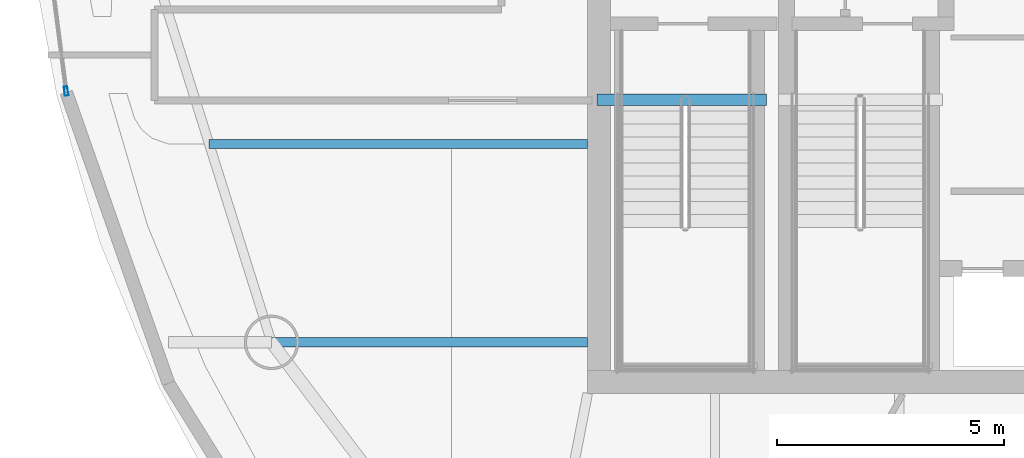
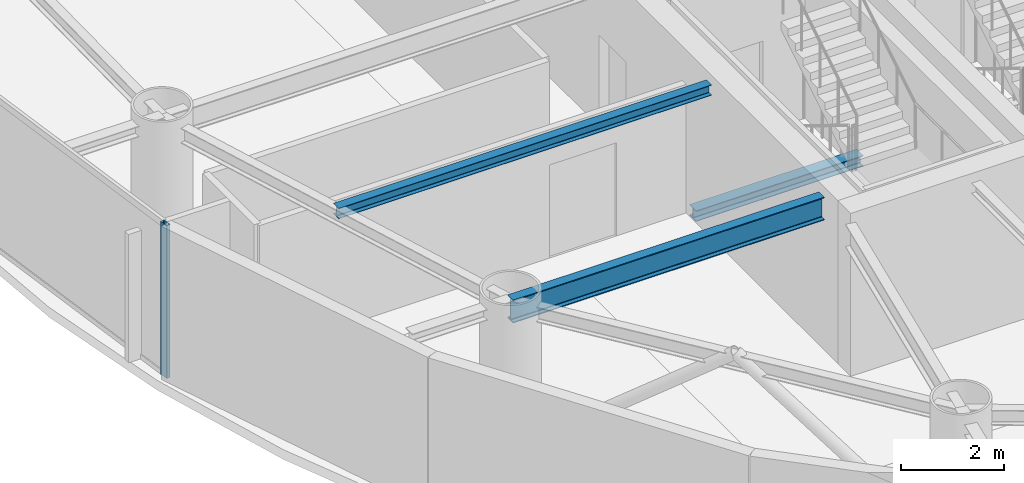
# One storey, part 4 of 20: 3 beams, 1 member, 1 element without a shape of its own.
"""IFC4 building model written with IfcOpenShell, lengths in metres."""

from ifc_helpers import new_model, si_unit, direction, frame, origin, origin_2d, place, context, subcontext, project, spatial, hollow_rectangle, i_section, extrude, material, layer, layer_set, material_profile, profile_set, type_object, element, aggregate, save


model = new_model("IFC4")

# Units and contexts
model_context = context("Model", 3, precision=1e-05, world=origin(), true_north=direction((0.0, 1.0)))
body_context = subcontext(model_context, "Body", "Model", "MODEL_VIEW")
ifc_project = project(units=[si_unit("LENGTHUNIT", "METRE"), si_unit("AREAUNIT", "SQUARE_METRE"), si_unit("VOLUMEUNIT", "CUBIC_METRE"), si_unit("PLANEANGLEUNIT", "RADIAN"), si_unit("MASSUNIT", "GRAM", prefix="KILO")], contexts=[model_context])

# Site, building, storey
site_placement = place(None, origin())
site = spatial("IfcSite", under=ifc_project, at=site_placement, CompositionType="ELEMENT")
building_placement = place(site_placement, origin())
building = spatial("IfcBuilding", under=site, at=building_placement, Name="Bramvorn Convention Spire", CompositionType="ELEMENT")
storey_placement = place(building_placement, frame((0.0, 0.0, 175.050048828125)))
storey = spatial("IfcBuildingStorey", under=building, at=storey_placement, Name="L44", CompositionType="ELEMENT", Elevation=175.050048828125)

# Beams
ifc_material_1 = material(Name="Steel CSA G40.21 Grade 350 (350W)", Category="steel")
ifc_material_profile_1 = material_profile(ifc_material_1, i_section(OverallWidth=0.201904296875, OverallDepth=0.2470703125, WebThickness=0.00732421875, FlangeThickness=0.010986328125, FilletRadius=0.011962890625, at=origin_2d()))
ifc_profile_set_1 = profile_set([ifc_material_profile_1], Name="Steel CSA G40.21 Grade 350 (350W) - W250X49")
beam_type_1 = type_object("IfcBeamType", Name="BM-W250X49", PredefinedType="JOIST", material=ifc_profile_set_1)
beam_1_placement = place(storey_placement, frame((26.75, 24.039794921875, 3.496337890625), z_axis=(-1.0, 0.0, 0.0), x_axis=(0.0, -1.0, 0.0)))
element("IfcBeam", 1, at=beam_1_placement, inside=storey, type_object=beam_type_1, Name="L44 composite floor joist 11", PredefinedType="JOIST", context=body_context, shape_type="SweptSolid", body=[
    extrude(i_section(OverallWidth=0.201904296875, OverallDepth=0.2470703125, WebThickness=0.00732421875, FlangeThickness=0.010986328125, FilletRadius=0.011962890625, at=origin_2d()), origin(), (0.0, 0.0, 1.0), 8.33251953125),
])
ifc_material_profile_2 = material_profile(ifc_material_1, i_section(OverallWidth=0.25390625, OverallDepth=0.2529296875, WebThickness=0.008544921875, FlangeThickness=0.01416015625, FilletRadius=0.011962890625, at=origin_2d()))
ifc_profile_set_2 = profile_set([ifc_material_profile_2], Name="Steel CSA G40.21 Grade 350 (350W) - W250X73")
beam_type_2 = type_object("IfcBeamType", Name="BM-W250X73", PredefinedType="BEAM", material=ifc_profile_set_2)
beam_2_placement = place(storey_placement, frame((26.949951171875, 25.010009765625, -0.12646484375), z_axis=(1.0, 0.0, 0.0), x_axis=(0.0, 1.0, 0.0)))
element("IfcBeam", 2, at=beam_2_placement, inside=storey, type_object=beam_type_2, Name="L44 ST1 stair arrival header beam", PredefinedType="BEAM", context=body_context, shape_type="SweptSolid", body=[
    extrude(i_section(OverallWidth=0.25390625, OverallDepth=0.2529296875, WebThickness=0.008544921875, FlangeThickness=0.01416015625, FilletRadius=0.011962890625, at=origin_2d()), origin(), (0.0, 0.0, 1.0), 3.739990234375),
])
ifc_material_profile_3 = material_profile(ifc_material_1, i_section(OverallWidth=0.2119140625, OverallDepth=0.5439453125, WebThickness=0.01318359375, FlangeThickness=0.021240234375, FilletRadius=0.01904296875, at=origin_2d()))
ifc_profile_set_3 = profile_set([ifc_material_profile_3], Name="Steel CSA G40.21 Grade 350 (350W) - W530X123")
beam_type_3 = type_object("IfcBeamType", Name="BM-W530X123", PredefinedType="BEAM", material=ifc_profile_set_3)
beam_3_placement = place(storey_placement, frame((26.75, 19.672607421875, 3.347900390625), z_axis=(-1.0, 0.0, 0.0), x_axis=(0.0, -1.0, 0.0)))
element("IfcBeam", 3, at=beam_3_placement, inside=storey, type_object=beam_type_3, Name="L44 radial floor girder MC12", PredefinedType="BEAM", context=body_context, shape_type="SweptSolid", body=[
    extrude(i_section(OverallWidth=0.2119140625, OverallDepth=0.5439453125, WebThickness=0.01318359375, FlangeThickness=0.021240234375, FilletRadius=0.01904296875, at=origin_2d()), origin(), (0.0, 0.0, 1.0), 6.96044921875),
])

# Curtain wall, member
ifc_material_2 = material(Name="Anodised Bronze Unitised Curtain Wall", Category="aluminium")
ifc_layer = layer(ifc_material_2, 0.179931640625)
ifc_layer_set = layer_set([ifc_layer], Name="Anodised Bronze Unitised Curtain Wall - CW-OFF-FRIT")
curtain_wall_type = type_object("IfcCurtainWallType", Name="CW-OFF-FRIT", PredefinedType="USERDEFINED", material=ifc_layer_set)
curtain_wall_placement = place(storey_placement, origin())
curtain_wall = element("IfcCurtainWall", 4, at=curtain_wall_placement, inside=storey, type_object=curtain_wall_type, Name="L44 fritted glass curtain wall 15", ObjectType="UNITISED CURTAIN WALL", PredefinedType="USERDEFINED")
ifc_material_3 = material(Name="Anodised Bronze Aluminium 6063-T6", Category="aluminium")
ifc_material_profile_4 = material_profile(ifc_material_3, hollow_rectangle(XDim=0.080078125, YDim=0.199951171875, WallThickness=0.00390625, InnerFilletRadius=0.0009765625, OuterFilletRadius=0.00390625, at=origin_2d()))
ifc_profile_set_4 = profile_set([ifc_material_profile_4], Name="Anodised Bronze Aluminium 6063-T6 - CWM80X200")
member_type = type_object("IfcMemberType", Name="CW-MUL-180", PredefinedType="MULLION", material=ifc_profile_set_4)
member_placement = place(storey_placement, frame((15.2685546875, 25.205078125, 0.0), z_axis=(0.0, 0.0, 1.0), x_axis=(-0.991623680239, -0.129160662697, 0.0)))
member = element("IfcMember", 5, at=member_placement, type_object=member_type, Name="CW3 mullion 1", PredefinedType="MULLION", context=body_context, shape_type="SweptSolid", body=[
    extrude(hollow_rectangle(XDim=0.080078125, YDim=0.199951171875, WallThickness=0.00390625, InnerFilletRadius=0.0009765625, OuterFilletRadius=0.00390625, at=origin_2d()), origin(), (0.0, 0.0, 1.0), 3.619873046875),
])
aggregate(curtain_wall, [member])

save(model, "model.ifc")
